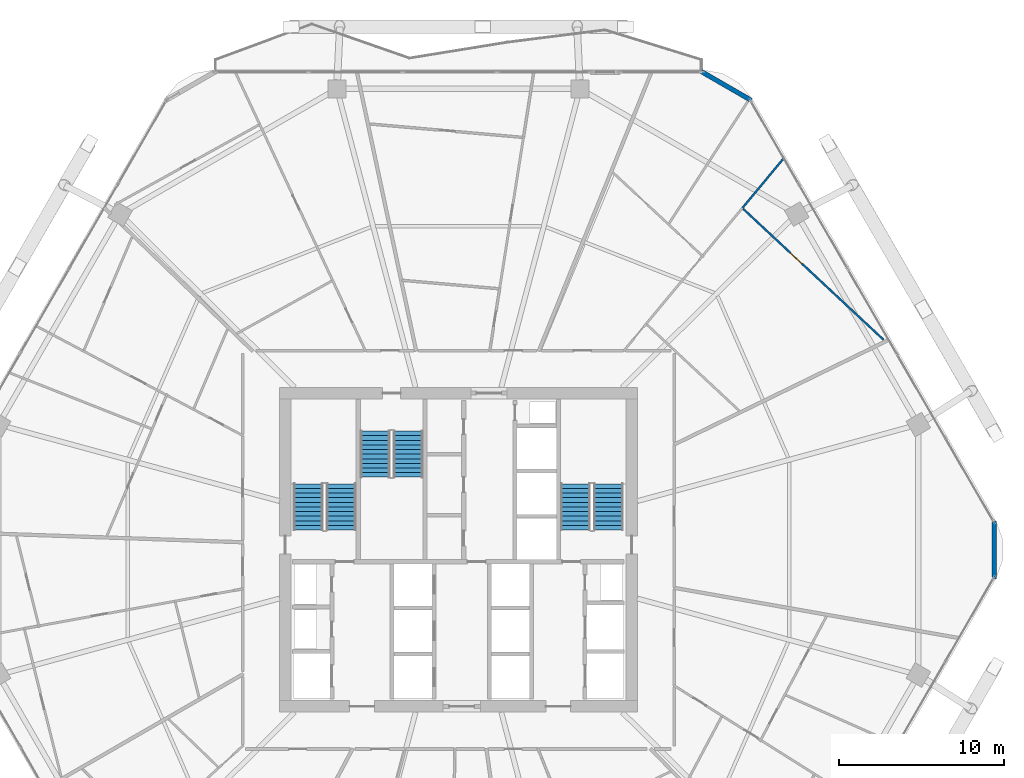
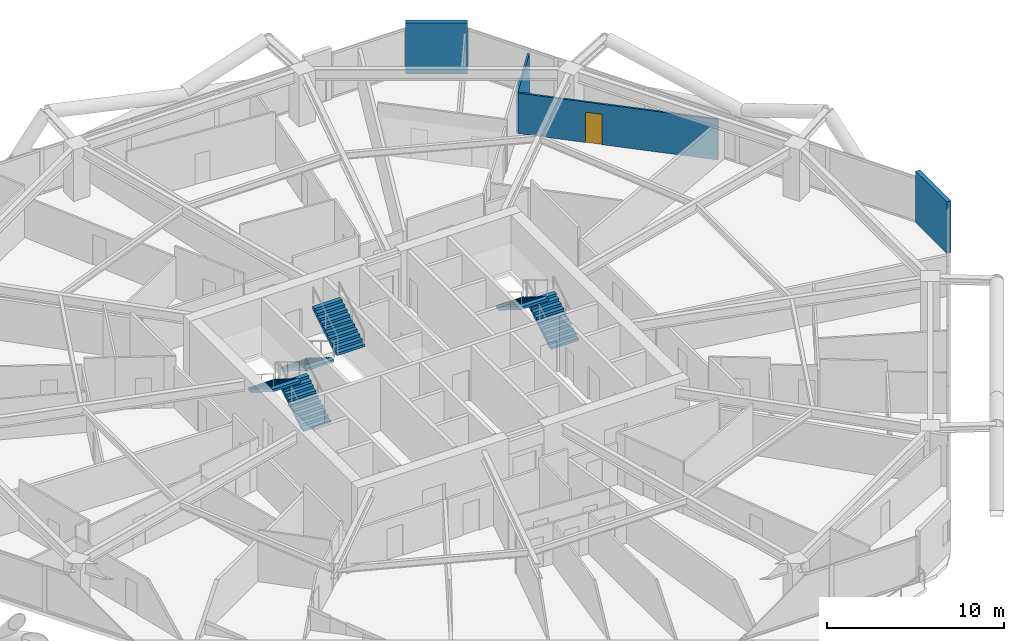
# One storey, part 32 of 35: 6 stair flights, 4 walls, 1 door, 1 opening, 3 elements without a shape of their own.
"""IFC4 building model written with IfcOpenShell, lengths in metres."""

from ifc_helpers import new_model, si_unit, direction, frame, frame_2d, origin, place, context, subcontext, project, spatial, polyline, rectangle, outline, extrude, material, layer, layer_set, type_object, element, fill, aggregate, save


model = new_model("IFC4")

# Units and contexts
model_context = context("Model", 3, precision=1e-05, world=origin(), true_north=direction((0.0, 1.0)))
body_context = subcontext(model_context, "Body", "Model", "MODEL_VIEW")
ifc_project = project(units=[si_unit("LENGTHUNIT", "METRE"), si_unit("AREAUNIT", "SQUARE_METRE"), si_unit("VOLUMEUNIT", "CUBIC_METRE"), si_unit("PLANEANGLEUNIT", "RADIAN"), si_unit("MASSUNIT", "GRAM", prefix="KILO")], contexts=[model_context])

# Site, building, storey
site_placement = place(None, origin())
site = spatial("IfcSite", under=ifc_project, at=site_placement, CompositionType="ELEMENT")
building_placement = place(site_placement, origin())
building = spatial("IfcBuilding", under=site, at=building_placement, Name="Zuhravey Tower", CompositionType="ELEMENT")
storey_placement = place(building_placement, frame((0.0, 0.0, 138.0)))
storey = spatial("IfcBuildingStorey", under=building, at=storey_placement, Name="L34", CompositionType="ELEMENT", Elevation=138.0)

# Walls
ifc_material_1 = material(Name="Precast concrete C40/50", Category="concrete")
ifc_layer_1 = layer(ifc_material_1, 0.280029296875)
ifc_layer_set_1 = layer_set([ifc_layer_1], Name="Precast concrete C40/50")
wall_type_1 = type_object("IfcWallType", Name="Crown Architectural Wall 280", PredefinedType="SOLIDWALL", material=ifc_layer_set_1)
wall_1_placement = place(storey_placement, frame((50.71728515625, 61.006103515625, 0.0), z_axis=(0.0, 0.0, 1.0), x_axis=(0.866007452331, -0.500031091541, 0.0)))
element("IfcWall", 1, at=wall_1_placement, inside=storey, type_object=wall_type_1, Name="L34 Rounded Corner Closure Wall EW28-10", PredefinedType="SOLIDWALL", context=body_context, shape_type="SweptSolid", body=[
    extrude(rectangle(XDim=3.514892578125, YDim=0.280029296875, at=frame_2d((1.75732421875, 0.0))), origin(), (0.0, 0.0, 1.0), 3.550048828125),
])
wall_2_placement = place(storey_placement, frame((68.478515625, 33.757568359375, 0.0), z_axis=(0.0, 0.0, 1.0), x_axis=(0.0, -1.0, 0.0)))
element("IfcWall", 2, at=wall_2_placement, inside=storey, type_object=wall_type_1, Name="L34 Rounded Corner Closure Wall EW28-12", PredefinedType="SOLIDWALL", context=body_context, shape_type="SweptSolid", body=[
    extrude(rectangle(XDim=3.51513671875, YDim=0.280029296875, at=frame_2d((1.757568359375, 0.0))), origin(), (0.0, 0.0, 1.0), 3.550048828125),
])

# Wall, opening, door
ifc_material_2 = material(Name="Gypsum metal-stud partition")
ifc_layer_2 = layer(ifc_material_2, 0.1201171875)
ifc_layer_set_2 = layer_set([ifc_layer_2], Name="Gypsum metal-stud partition")
wall_type_2 = type_object("IfcWallType", Name="Unit Internal Partition 120", PredefinedType="PARTITIONING", material=ifc_layer_set_2)
wall_3_placement = place(storey_placement, frame((61.774169921875, 44.73876953125, 0.0), z_axis=(0.0, 0.0, 1.0), x_axis=(-0.731361507281, 0.681989989418, 0.0)))
wall_3 = element("IfcWall", 3, at=wall_3_placement, inside=storey, type_object=wall_type_2, Name="L34 IW12 Partition 023", PredefinedType="PARTITIONING", context=body_context, shape_type="SweptSolid", body=[
    extrude(rectangle(XDim=11.635498046875, YDim=0.1201171875, at=frame_2d((5.81787109375, 0.0))), origin(), (0.0, 0.0, 1.0), 2.800048828125),
])
opening_placement = place(wall_3_placement, frame((6.746826171875, 0.0, 0.0)))
opening = element("IfcOpeningElement", 4, at=opening_placement, cuts=wall_3, Name="Opening IND1", PredefinedType="OPENING", context=body_context, shape_type="SweptSolid", body=[
    extrude(rectangle(XDim=0.949951171875, YDim=2.10009765625, at=frame_2d((0.47509765625, 1.050048828125))), frame((0.0, 0.072021484375, 0.0), z_axis=(0.0, -1.0, 0.0), x_axis=(1.0, 0.0, 0.0)), (0.0, 0.0, 1.0), 0.14404296875),
])
ifc_material_3 = material(Name="Painted engineered timber leaf", Category="wood")
door_type = type_object("IfcDoorType", Name="Internal Room & Bedroom Door 950x2100", OperationType="NOTDEFINED", PredefinedType="DOOR", material=ifc_material_3)
door_placement = place(opening_placement, frame((0.949951171875, 0.0, 0.0), z_axis=(0.0, 0.0, 1.0), x_axis=(-1.0, 0.0, 0.0)))
door = element("IfcDoor", 5, at=door_placement, inside=storey, type_object=door_type, Name="Apartment L34-01 Bedroom 1 Door", OperationType="SINGLE_SWING_LEFT", OverallHeight=2.10009765625, OverallWidth=0.949951171875, PredefinedType="DOOR", context=body_context, shape_type="SweptSolid", body=[
    extrude(rectangle(XDim=0.949951171875, YDim=2.10009765625, at=frame_2d((0.47509765625, 1.050048828125))), frame((0.0, 0.02490234375, 0.0), z_axis=(0.0, -1.0, 0.0), x_axis=(1.0, 0.0, 0.0)), (0.0, 0.0, 1.0), 0.050048828125),
])
fill(opening, door)

# Wall
wall_4_placement = place(storey_placement, frame((53.230712890625, 52.73974609375, 0.0), z_axis=(0.0, 0.0, 1.0), x_axis=(0.639017422435, 0.769192260638, 0.0)))
element("IfcWall", 6, at=wall_4_placement, inside=storey, type_object=wall_type_2, Name="L34 IW12 Partition 078", PredefinedType="PARTITIONING", context=body_context, shape_type="SweptSolid", body=[
    extrude(rectangle(XDim=3.912353515625, YDim=0.1201171875, at=frame_2d((1.9560546875, 0.0))), origin(), (0.0, 0.0, 1.0), 2.800048828125),
])

# Stair, stair flights
ifc_material_4 = material(Name="Concrete C40/50", Category="concrete")
stair_type = type_object("IfcStairType", Name="Housing Storey Stair Assembly 3800", PredefinedType="HALF_TURN_STAIR", material=ifc_material_4)
stair_1_placement = place(storey_placement, origin())
stair_1 = element("IfcStair", 7, at=stair_1_placement, inside=storey, type_object=stair_type, Name="L34 Core Exit Stair ST1", PredefinedType="HALF_TURN_STAIR")
stair_flight_type = type_object("IfcStairFlightType", Name="Housing Storey Stair Flight 3800", PredefinedType="STRAIGHT", material=ifc_material_4)
stair_flight_1_placement = place(storey_placement, frame((28.89990234375, 33.199951171875, 0.0), z_axis=(0.0, 0.0, 1.0), x_axis=(0.0, 1.0, 0.0)))
stair_flight_1 = element("IfcStairFlight", 8, at=stair_flight_1_placement, type_object=stair_flight_type, Name="ST1 flight 1", NumberOfRisers=11, NumberOfTreads=10, PredefinedType="STRAIGHT", RiserHeight=0.172727273, TreadLength=0.28, context=body_context, shape_type="SweptSolid", body=[
    extrude(outline(polyline([(0.0, 0.0), (0.0, 0.172607421875), (0.280029296875, 0.172607421875), (0.280029296875, 0.345458984375), (0.56005859375, 0.345458984375), (0.56005859375, 0.51806640625), (0.840087890625, 0.51806640625), (0.840087890625, 0.69091796875), (1.1201171875, 0.69091796875), (1.1201171875, 0.863525390625), (1.39990234375, 0.863525390625), (1.39990234375, 1.036376953125), (1.679931640625, 1.036376953125), (1.679931640625, 1.208984375), (1.9599609375, 1.208984375), (1.9599609375, 1.3818359375), (2.239990234375, 1.3818359375), (2.239990234375, 1.554443359375), (2.52001953125, 1.554443359375), (2.52001953125, 1.727294921875), (2.800048828125, 1.727294921875), (2.800048828125, 1.89990234375), (2.800048828125, 1.551025390625), (0.285400390625, 0.0), (0.0, 0.0)])), frame((0.0, 0.89990234375, 0.0), z_axis=(0.0, -1.0, 0.0), x_axis=(1.0, 0.0, 0.0)), (0.0, 0.0, 1.0), 1.800048828125),
])
stair_flight_2_placement = place(storey_placement, frame((26.89990234375, 36.0, 1.89990234375), z_axis=(0.0, 0.0, 1.0), x_axis=(0.0, -1.0, 0.0)))
stair_flight_2 = element("IfcStairFlight", 9, at=stair_flight_2_placement, type_object=stair_flight_type, Name="ST1 flight 2", NumberOfRisers=11, NumberOfTreads=10, PredefinedType="STRAIGHT", RiserHeight=0.172727273, TreadLength=0.28, context=body_context, shape_type="SweptSolid", body=[
    extrude(outline(polyline([(0.0, 0.0), (0.0, 0.172607421875), (0.280029296875, 0.172607421875), (0.280029296875, 0.345458984375), (0.56005859375, 0.345458984375), (0.56005859375, 0.51806640625), (0.840087890625, 0.51806640625), (0.840087890625, 0.69091796875), (1.1201171875, 0.69091796875), (1.1201171875, 0.863525390625), (1.39990234375, 0.863525390625), (1.39990234375, 1.036376953125), (1.679931640625, 1.036376953125), (1.679931640625, 1.208984375), (1.9599609375, 1.208984375), (1.9599609375, 1.3818359375), (2.239990234375, 1.3818359375), (2.239990234375, 1.554443359375), (2.52001953125, 1.554443359375), (2.52001953125, 1.727294921875), (2.800048828125, 1.727294921875), (2.800048828125, 1.89990234375), (2.800048828125, 1.551025390625), (0.285400390625, 0.0), (0.0, 0.0)])), frame((0.0, 0.89990234375, 0.0), z_axis=(0.0, -1.0, 0.0), x_axis=(1.0, 0.0, 0.0)), (0.0, 0.0, 1.0), 1.800048828125),
])
aggregate(stair_1, [stair_flight_1, stair_flight_2])

stair_2_placement = place(storey_placement, origin())
stair_2 = element("IfcStair", 10, at=stair_2_placement, inside=storey, type_object=stair_type, Name="L34 Core Exit Stair ST2", PredefinedType="HALF_TURN_STAIR")
stair_flight_3_placement = place(storey_placement, frame((45.10009765625, 33.199951171875, 0.0), z_axis=(0.0, 0.0, 1.0), x_axis=(0.0, 1.0, 0.0)))
stair_flight_3 = element("IfcStairFlight", 11, at=stair_flight_3_placement, type_object=stair_flight_type, Name="ST2 flight 1", NumberOfRisers=11, NumberOfTreads=10, PredefinedType="STRAIGHT", RiserHeight=0.172727273, TreadLength=0.28, context=body_context, shape_type="SweptSolid", body=[
    extrude(outline(polyline([(0.0, 0.0), (0.0, 0.172607421875), (0.280029296875, 0.172607421875), (0.280029296875, 0.345458984375), (0.56005859375, 0.345458984375), (0.56005859375, 0.51806640625), (0.840087890625, 0.51806640625), (0.840087890625, 0.69091796875), (1.1201171875, 0.69091796875), (1.1201171875, 0.863525390625), (1.39990234375, 0.863525390625), (1.39990234375, 1.036376953125), (1.679931640625, 1.036376953125), (1.679931640625, 1.208984375), (1.9599609375, 1.208984375), (1.9599609375, 1.3818359375), (2.239990234375, 1.3818359375), (2.239990234375, 1.554443359375), (2.52001953125, 1.554443359375), (2.52001953125, 1.727294921875), (2.800048828125, 1.727294921875), (2.800048828125, 1.89990234375), (2.800048828125, 1.551025390625), (0.285400390625, 0.0), (0.0, 0.0)])), frame((0.0, 0.89990234375, 0.0), z_axis=(0.0, -1.0, 0.0), x_axis=(1.0, 0.0, 0.0)), (0.0, 0.0, 1.0), 1.800048828125),
])
stair_flight_4_placement = place(storey_placement, frame((43.10009765625, 36.0, 1.89990234375), z_axis=(0.0, 0.0, 1.0), x_axis=(0.0, -1.0, 0.0)))
stair_flight_4 = element("IfcStairFlight", 12, at=stair_flight_4_placement, type_object=stair_flight_type, Name="ST2 flight 2", NumberOfRisers=11, NumberOfTreads=10, PredefinedType="STRAIGHT", RiserHeight=0.172727273, TreadLength=0.28, context=body_context, shape_type="SweptSolid", body=[
    extrude(outline(polyline([(0.0, 0.0), (0.0, 0.172607421875), (0.280029296875, 0.172607421875), (0.280029296875, 0.345458984375), (0.56005859375, 0.345458984375), (0.56005859375, 0.51806640625), (0.840087890625, 0.51806640625), (0.840087890625, 0.69091796875), (1.1201171875, 0.69091796875), (1.1201171875, 0.863525390625), (1.39990234375, 0.863525390625), (1.39990234375, 1.036376953125), (1.679931640625, 1.036376953125), (1.679931640625, 1.208984375), (1.9599609375, 1.208984375), (1.9599609375, 1.3818359375), (2.239990234375, 1.3818359375), (2.239990234375, 1.554443359375), (2.52001953125, 1.554443359375), (2.52001953125, 1.727294921875), (2.800048828125, 1.727294921875), (2.800048828125, 1.89990234375), (2.800048828125, 1.551025390625), (0.285400390625, 0.0), (0.0, 0.0)])), frame((0.0, 0.89990234375, 0.0), z_axis=(0.0, -1.0, 0.0), x_axis=(1.0, 0.0, 0.0)), (0.0, 0.0, 1.0), 1.800048828125),
])
aggregate(stair_2, [stair_flight_3, stair_flight_4])

stair_3_placement = place(storey_placement, origin())
stair_3 = element("IfcStair", 13, at=stair_3_placement, inside=storey, type_object=stair_type, Name="L34 Core Exit Stair ST3", PredefinedType="HALF_TURN_STAIR")
stair_flight_5_placement = place(storey_placement, frame((30.949951171875, 39.199951171875, 0.0), z_axis=(0.0, 0.0, 1.0), x_axis=(0.0, -1.0, 0.0)))
stair_flight_5 = element("IfcStairFlight", 14, at=stair_flight_5_placement, type_object=stair_flight_type, Name="ST3 flight 1", NumberOfRisers=11, NumberOfTreads=10, PredefinedType="STRAIGHT", RiserHeight=0.172727273, TreadLength=0.28, context=body_context, shape_type="SweptSolid", body=[
    extrude(outline(polyline([(0.0, 0.0), (0.0, 0.172607421875), (0.280029296875, 0.172607421875), (0.280029296875, 0.345458984375), (0.56005859375, 0.345458984375), (0.56005859375, 0.51806640625), (0.840087890625, 0.51806640625), (0.840087890625, 0.69091796875), (1.1201171875, 0.69091796875), (1.1201171875, 0.863525390625), (1.39990234375, 0.863525390625), (1.39990234375, 1.036376953125), (1.679931640625, 1.036376953125), (1.679931640625, 1.208984375), (1.9599609375, 1.208984375), (1.9599609375, 1.3818359375), (2.239990234375, 1.3818359375), (2.239990234375, 1.554443359375), (2.52001953125, 1.554443359375), (2.52001953125, 1.727294921875), (2.800048828125, 1.727294921875), (2.800048828125, 1.89990234375), (2.800048828125, 1.551025390625), (0.285400390625, 0.0), (0.0, 0.0)])), frame((0.0, 0.89990234375, 0.0), z_axis=(0.0, -1.0, 0.0), x_axis=(1.0, 0.0, 0.0)), (0.0, 0.0, 1.0), 1.800048828125),
])
stair_flight_6_placement = place(storey_placement, frame((32.949951171875, 36.39990234375, 1.89990234375), z_axis=(0.0, 0.0, 1.0), x_axis=(0.0, 1.0, 0.0)))
stair_flight_6 = element("IfcStairFlight", 15, at=stair_flight_6_placement, type_object=stair_flight_type, Name="ST3 flight 2", NumberOfRisers=11, NumberOfTreads=10, PredefinedType="STRAIGHT", RiserHeight=0.172727273, TreadLength=0.28, context=body_context, shape_type="SweptSolid", body=[
    extrude(outline(polyline([(0.0, 0.0), (0.0, 0.172607421875), (0.280029296875, 0.172607421875), (0.280029296875, 0.345458984375), (0.56005859375, 0.345458984375), (0.56005859375, 0.51806640625), (0.840087890625, 0.51806640625), (0.840087890625, 0.69091796875), (1.1201171875, 0.69091796875), (1.1201171875, 0.863525390625), (1.39990234375, 0.863525390625), (1.39990234375, 1.036376953125), (1.679931640625, 1.036376953125), (1.679931640625, 1.208984375), (1.9599609375, 1.208984375), (1.9599609375, 1.3818359375), (2.239990234375, 1.3818359375), (2.239990234375, 1.554443359375), (2.52001953125, 1.554443359375), (2.52001953125, 1.727294921875), (2.800048828125, 1.727294921875), (2.800048828125, 1.89990234375), (2.800048828125, 1.551025390625), (0.285400390625, 0.0), (0.0, 0.0)])), frame((0.0, 0.89990234375, 0.0), z_axis=(0.0, -1.0, 0.0), x_axis=(1.0, 0.0, 0.0)), (0.0, 0.0, 1.0), 1.800048828125),
])
aggregate(stair_3, [stair_flight_5, stair_flight_6])

save(model, "model.ifc")
